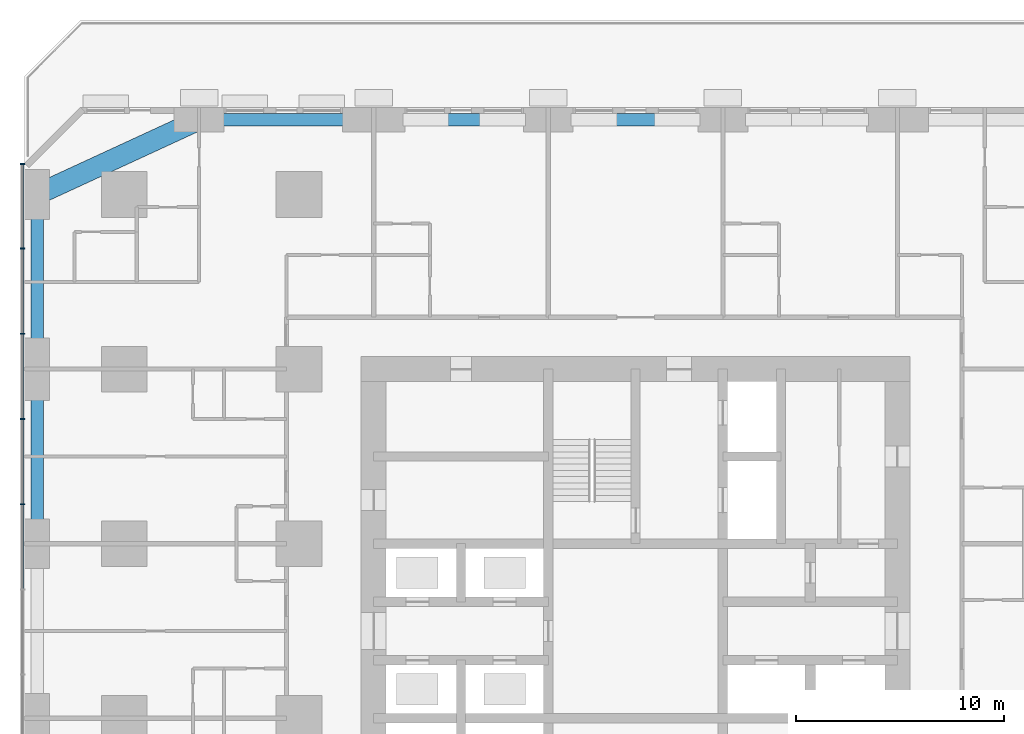
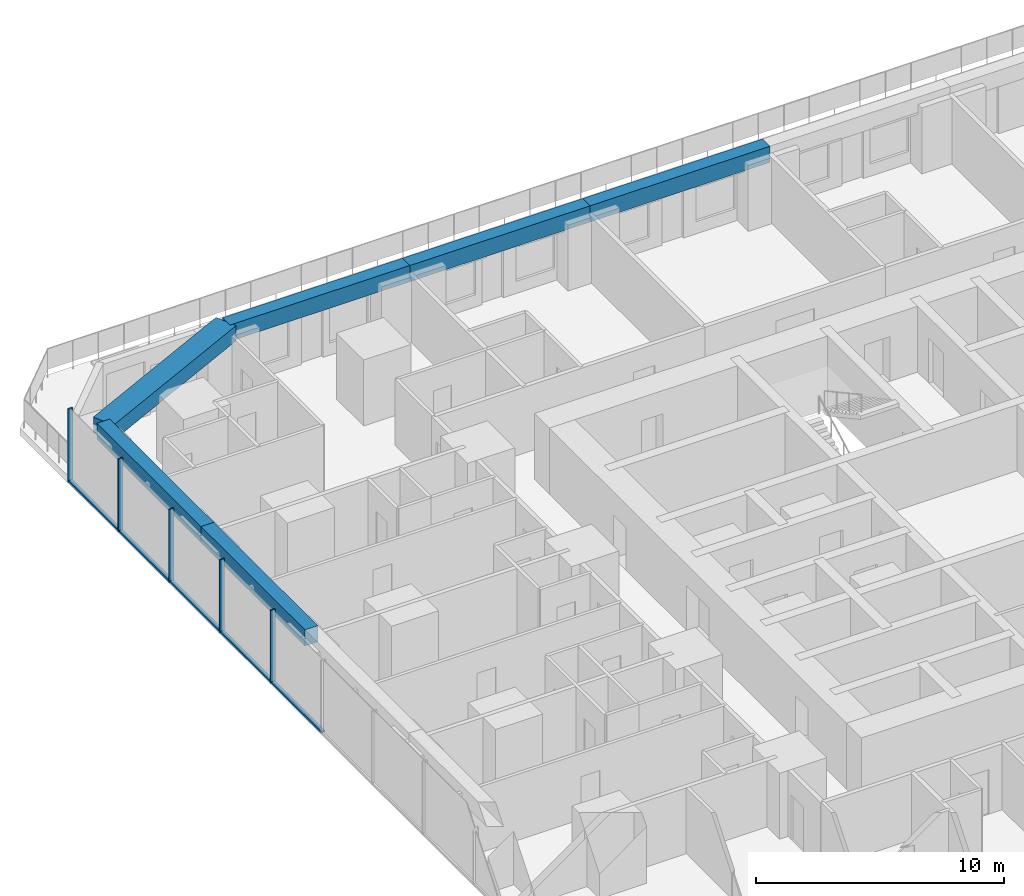
# One storey, part 5 of 16: 10 members, 6 beams, 1 element without a shape of its own.
"""IFC4 building model written with IfcOpenShell, lengths in metres."""

from ifc_helpers import new_model, si_unit, direction, frame, origin, origin_2d, place, context, subcontext, project, spatial, rectangle, extrude, material, material_profile, profile_set, type_object, element, aggregate, save


model = new_model("IFC4")

# Units and contexts
model_context = context("Model", 3, precision=1e-05, world=origin(), true_north=direction((0.0, 1.0)))
body_context = subcontext(model_context, "Body", "Model", "MODEL_VIEW")
ifc_project = project(units=[si_unit("LENGTHUNIT", "METRE"), si_unit("AREAUNIT", "SQUARE_METRE"), si_unit("VOLUMEUNIT", "CUBIC_METRE"), si_unit("PLANEANGLEUNIT", "RADIAN"), si_unit("MASSUNIT", "GRAM", prefix="KILO")], contexts=[model_context])

# Site, building, storey
site_placement = place(None, origin())
site = spatial("IfcSite", under=ifc_project, at=site_placement, CompositionType="ELEMENT")
building_placement = place(site_placement, origin())
building = spatial("IfcBuilding", under=site, at=building_placement, Name="Dunama Terrace Hotel", CompositionType="ELEMENT")
storey_placement = place(building_placement, frame((0.0, 0.0, 93.60009765625)))
storey = spatial("IfcBuildingStorey", under=building, at=storey_placement, Name="L23", CompositionType="ELEMENT", Elevation=93.60009765625)

# Curtain wall, members
ifc_material_1 = material(Name="Aluminium curtain wall system", Category="aluminium")
curtain_wall_type = type_object("IfcCurtainWallType", Name="Unitised fritted glass wall CW-B", PredefinedType="NOTDEFINED", material=ifc_material_1)
curtain_wall_placement = place(storey_placement, origin())
curtain_wall = element("IfcCurtainWall", 1, at=curtain_wall_placement, inside=storey, type_object=curtain_wall_type, Name="Unitised fritted glass wall CW-B L23", PredefinedType="NOTDEFINED")
ifc_material_2 = material(Name="Aluminium mullion", Category="aluminium")
ifc_material_profile_1 = material_profile(ifc_material_2, rectangle(XDim=0.06494140625, YDim=0.219970703125, at=origin_2d()), Name="CWB MULLION 65X220")
ifc_profile_set_1 = profile_set([ifc_material_profile_1], Name="Aluminium mullion")
member_type_1 = type_object("IfcMemberType", Name="CWB mullion 65x220", PredefinedType="MULLION", material=ifc_profile_set_1)
member_1_placement = place(storey_placement, frame((-0.110107421875, 51.866943359375, 0.0), z_axis=(0.0, 0.0, 1.0), x_axis=(0.0, -1.0, 0.0)))
member_1 = element("IfcMember", 2, at=member_1_placement, type_object=member_type_1, Name="CWB mullion", PredefinedType="MULLION", context=body_context, shape_type="SweptSolid", body=[
    extrude(rectangle(XDim=0.06494140625, YDim=0.219970703125, at=origin_2d()), origin(), (0.0, 0.0, 1.0), 3.599853515625),
])
member_2_placement = place(storey_placement, frame((-0.110107421875, 47.800048828125, 0.0), z_axis=(0.0, 0.0, 1.0), x_axis=(0.0, -1.0, 0.0)))
member_2 = element("IfcMember", 3, at=member_2_placement, type_object=member_type_1, Name="CWB mullion", PredefinedType="MULLION", context=body_context, shape_type="SweptSolid", body=[
    extrude(rectangle(XDim=0.06494140625, YDim=0.219970703125, at=origin_2d()), origin(), (0.0, 0.0, 1.0), 3.599853515625),
])
member_3_placement = place(storey_placement, frame((-0.110107421875, 43.699951171875, 0.0), z_axis=(0.0, 0.0, 1.0), x_axis=(0.0, -1.0, 0.0)))
member_3 = element("IfcMember", 4, at=member_3_placement, type_object=member_type_1, Name="CWB mullion", PredefinedType="MULLION", context=body_context, shape_type="SweptSolid", body=[
    extrude(rectangle(XDim=0.06494140625, YDim=0.219970703125, at=origin_2d()), origin(), (0.0, 0.0, 1.0), 3.599853515625),
])
member_4_placement = place(storey_placement, frame((-0.110107421875, 39.60009765625, 0.0), z_axis=(0.0, 0.0, 1.0), x_axis=(0.0, -1.0, 0.0)))
member_4 = element("IfcMember", 5, at=member_4_placement, type_object=member_type_1, Name="CWB mullion", PredefinedType="MULLION", context=body_context, shape_type="SweptSolid", body=[
    extrude(rectangle(XDim=0.06494140625, YDim=0.219970703125, at=origin_2d()), origin(), (0.0, 0.0, 1.0), 3.599853515625),
])
member_5_placement = place(storey_placement, frame((-0.110107421875, 35.5, 0.0), z_axis=(0.0, 0.0, 1.0), x_axis=(0.0, -1.0, 0.0)))
member_5 = element("IfcMember", 6, at=member_5_placement, type_object=member_type_1, Name="CWB mullion", PredefinedType="MULLION", context=body_context, shape_type="SweptSolid", body=[
    extrude(rectangle(XDim=0.06494140625, YDim=0.219970703125, at=origin_2d()), origin(), (0.0, 0.0, 1.0), 3.599853515625),
])
ifc_material_3 = material(Name="Aluminium transom", Category="aluminium")
ifc_material_profile_2 = material_profile(ifc_material_3, rectangle(XDim=0.179931640625, YDim=0.080078125, at=origin_2d()), Name="CWB TRANSOM 180X80")
ifc_profile_set_2 = profile_set([ifc_material_profile_2], Name="Aluminium transom")
member_type_2 = type_object("IfcMemberType", Name="CWB transom 180x80", PredefinedType="USERDEFINED", material=ifc_profile_set_2)
member_6_placement = place(storey_placement, frame((-0.110107421875, 51.8349609375, 0.039794921875), z_axis=(0.0, -1.0, 0.0), x_axis=(1.0, 0.0, 0.0)))
member_6 = element("IfcMember", 7, at=member_6_placement, type_object=member_type_2, Name="CWB transom", ObjectType="TRANSOM", PredefinedType="USERDEFINED", context=body_context, shape_type="SweptSolid", body=[
    extrude(rectangle(XDim=0.179931640625, YDim=0.080078125, at=origin_2d()), origin(), (0.0, 0.0, 1.0), 4.0029296875),
])
member_7_placement = place(storey_placement, frame((-0.110107421875, 47.76708984375, 0.039794921875), z_axis=(0.0, -1.0, 0.0), x_axis=(1.0, 0.0, 0.0)))
member_7 = element("IfcMember", 8, at=member_7_placement, type_object=member_type_2, Name="CWB transom", ObjectType="TRANSOM", PredefinedType="USERDEFINED", context=body_context, shape_type="SweptSolid", body=[
    extrude(rectangle(XDim=0.179931640625, YDim=0.080078125, at=origin_2d()), origin(), (0.0, 0.0, 1.0), 4.0341796875),
])
member_8_placement = place(storey_placement, frame((-0.110107421875, 43.6669921875, 0.039794921875), z_axis=(0.0, -1.0, 0.0), x_axis=(1.0, 0.0, 0.0)))
member_8 = element("IfcMember", 9, at=member_8_placement, type_object=member_type_2, Name="CWB transom", ObjectType="TRANSOM", PredefinedType="USERDEFINED", context=body_context, shape_type="SweptSolid", body=[
    extrude(rectangle(XDim=0.179931640625, YDim=0.080078125, at=origin_2d()), origin(), (0.0, 0.0, 1.0), 4.033935546875),
])
member_9_placement = place(storey_placement, frame((-0.110107421875, 39.56689453125, 0.039794921875), z_axis=(0.0, -1.0, 0.0), x_axis=(1.0, 0.0, 0.0)))
member_9 = element("IfcMember", 10, at=member_9_placement, type_object=member_type_2, Name="CWB transom", ObjectType="TRANSOM", PredefinedType="USERDEFINED", context=body_context, shape_type="SweptSolid", body=[
    extrude(rectangle(XDim=0.179931640625, YDim=0.080078125, at=origin_2d()), origin(), (0.0, 0.0, 1.0), 4.034912109375),
])
member_10_placement = place(storey_placement, frame((-0.110107421875, 35.468017578125, 0.039794921875), z_axis=(0.0, -1.0, 0.0), x_axis=(1.0, 0.0, 0.0)))
member_10 = element("IfcMember", 11, at=member_10_placement, type_object=member_type_2, Name="CWB transom", ObjectType="TRANSOM", PredefinedType="USERDEFINED", context=body_context, shape_type="SweptSolid", body=[
    extrude(rectangle(XDim=0.179931640625, YDim=0.080078125, at=origin_2d()), origin(), (0.0, 0.0, 1.0), 4.0361328125),
])
aggregate(curtain_wall, [member_1, member_2, member_3, member_4, member_5, member_6, member_7, member_8, member_9, member_10])

# Beams
ifc_material_4 = material(Name="Concrete C50/60", Category="concrete")
ifc_material_profile_3 = material_profile(ifc_material_4, rectangle(XDim=1.0, YDim=0.75, at=origin_2d()), Name="RC 1000x750")
ifc_profile_set_3 = profile_set([ifc_material_profile_3], Name="Concrete C50/60")
beam_type_1 = type_object("IfcBeamType", Name="Edge beam RC 1000x750", PredefinedType="SPANDREL", material=ifc_profile_set_3)
beam_1_placement = place(storey_placement, frame((8.39990234375, 54.0, 3.224853515625), z_axis=(-0.907951066374, -0.419076199598, 0.0), x_axis=(0.419076199598, -0.907951066374, 0.0)))
element("IfcBeam", 12, at=beam_1_placement, inside=storey, type_object=beam_type_1, Name="Corner edge beam under L24", PredefinedType="SPANDREL", context=body_context, shape_type="SweptSolid", body=[
    extrude(rectangle(XDim=1.0, YDim=0.75, at=origin_2d()), origin(), (0.0, 0.0, 1.0), 8.590576171875),
])
ifc_material_5 = material(Name="Concrete C40/50", Category="concrete")
ifc_material_profile_4 = material_profile(ifc_material_5, rectangle(XDim=0.60009765625, YDim=0.800048828125, at=origin_2d()), Name="RC 600x800")
ifc_profile_set_4 = profile_set([ifc_material_profile_4], Name="Concrete C40/50")
beam_type_2 = type_object("IfcBeamType", Name="Edge beam RC 600x800", PredefinedType="SPANDREL", material=ifc_profile_set_4)
for number, where, z_axis, x_axis, name in (
    (13, (0.60009765625, 33.60009765625, 3.199951171875), (0.0, 1.0, 0.0), (-1.0, 0.0, 0.0), "Edge beam under L24"),
    (14, (0.60009765625, 42.0, 3.199951171875), (0.0, 1.0, 0.0), (-1.0, 0.0, 0.0), "Edge beam under L24"),
):
    element("IfcBeam", number, at=place(storey_placement, frame(where, z_axis=z_axis, x_axis=x_axis)), inside=storey, type_object=beam_type_2, Name=name, PredefinedType="SPANDREL", context=body_context, shape_type="SweptSolid", body=[
        extrude(rectangle(XDim=0.60009765625, YDim=0.800048828125, at=origin_2d()), origin(), (0.0, 0.0, 1.0), 8.39990234375),
    ])
beam_2_placement = place(storey_placement, frame((8.39990234375, 54.0, 3.199951171875), z_axis=(1.0, 0.0, 0.0), x_axis=(0.0, 1.0, 0.0)))
element("IfcBeam", 15, at=beam_2_placement, inside=storey, type_object=beam_type_2, Name="Edge beam under L24", PredefinedType="SPANDREL", context=body_context, shape_type="SweptSolid", body=[
    extrude(rectangle(XDim=0.60009765625, YDim=0.800048828125, at=origin_2d()), origin(), (0.0, 0.0, 1.0), 8.400146484375),
])
beam_3_placement = place(storey_placement, frame((16.800048828125, 54.0, 3.199951171875), z_axis=(1.0, 0.0, 0.0), x_axis=(0.0, 1.0, 0.0)))
element("IfcBeam", 16, at=beam_3_placement, inside=storey, type_object=beam_type_2, Name="Edge beam under L24", PredefinedType="SPANDREL", context=body_context, shape_type="SweptSolid", body=[
    extrude(rectangle(XDim=0.60009765625, YDim=0.800048828125, at=origin_2d()), origin(), (0.0, 0.0, 1.0), 8.39990234375),
])
beam_4_placement = place(storey_placement, frame((25.199951171875, 54.0, 3.199951171875), z_axis=(1.0, 0.0, 0.0), x_axis=(0.0, 1.0, 0.0)))
element("IfcBeam", 17, at=beam_4_placement, inside=storey, type_object=beam_type_2, Name="Edge beam under L24", PredefinedType="SPANDREL", context=body_context, shape_type="SweptSolid", body=[
    extrude(rectangle(XDim=0.60009765625, YDim=0.800048828125, at=origin_2d()), origin(), (0.0, 0.0, 1.0), 8.400146484375),
])

save(model, "model.ifc")
